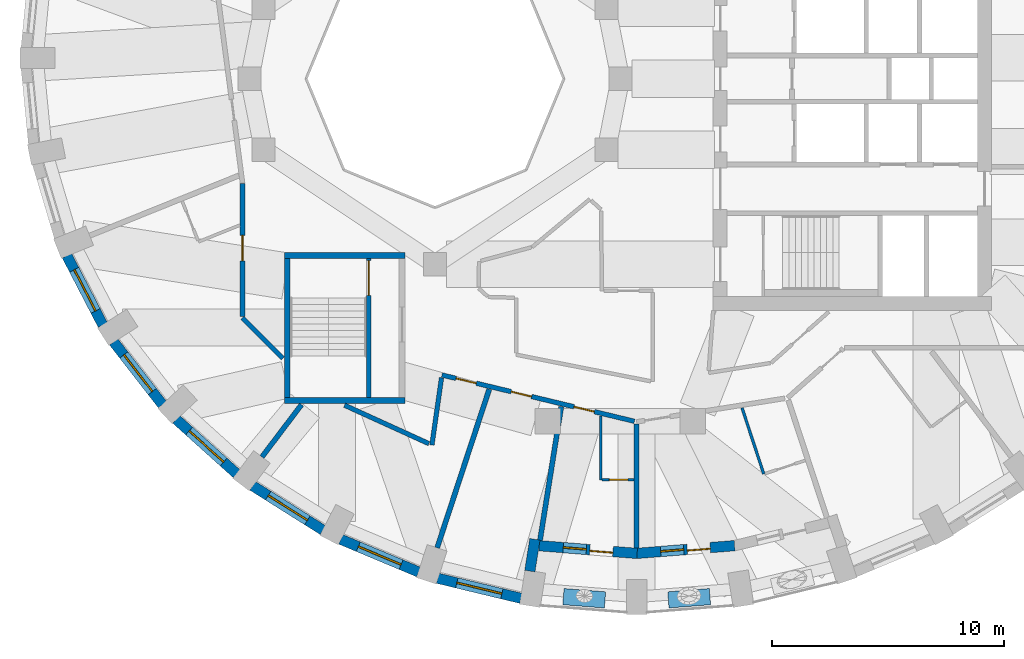
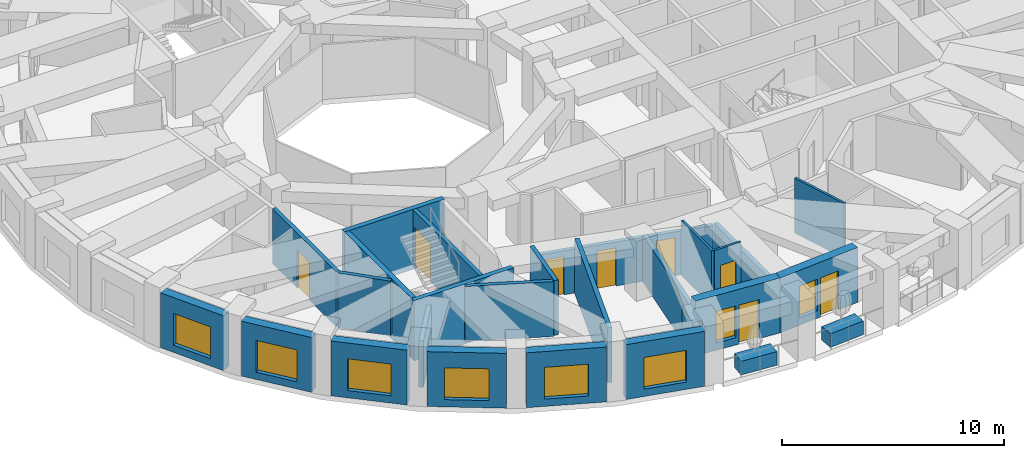
# One storey, part 3 of 12: 27 walls, 8 doors, 8 windows, 16 openings.
"""IFC4 building model written with IfcOpenShell, lengths in metres."""

from ifc_helpers import new_model, si_unit, direction, frame, frame_2d, origin, place, context, subcontext, project, spatial, rectangle, extrude, material, layer, layer_set, constituent, constituent_set, type_object, element, fill, save


model = new_model("IFC4")

# Units and contexts
model_context = context("Model", 3, precision=1e-05, world=origin(), true_north=direction((0.0, 1.0)))
body_context = subcontext(model_context, "Body", "Model", "MODEL_VIEW")
ifc_project = project(units=[si_unit("LENGTHUNIT", "METRE"), si_unit("AREAUNIT", "SQUARE_METRE"), si_unit("VOLUMEUNIT", "CUBIC_METRE"), si_unit("PLANEANGLEUNIT", "RADIAN"), si_unit("MASSUNIT", "GRAM", prefix="KILO")], contexts=[model_context])

# Site, building, storey
site_placement = place(None, origin())
site = spatial("IfcSite", under=ifc_project, at=site_placement, CompositionType="ELEMENT")
building_placement = place(site_placement, origin())
building = spatial("IfcBuilding", under=site, at=building_placement, Name="Taillehof Tower", CompositionType="ELEMENT")
storey_placement = place(building_placement, frame((0.0, 0.0, 205.699951171875)))
storey = spatial("IfcBuildingStorey", under=building, at=storey_placement, Name="L58", CompositionType="ELEMENT", Elevation=205.699951171875)

# Wall, opening, window
ifc_material_1 = material(Name="Brick masonry", Category="masonry")
ifc_layer_1 = layer(ifc_material_1, 0.449951171875)
ifc_layer_set_1 = layer_set([ifc_layer_1], Name="Brick infill wall 450")
wall_type_1 = type_object("IfcWallType", Name="Brick infill wall 450", PredefinedType="SOLIDWALL", material=ifc_layer_set_1)
wall_1_placement = place(storey_placement, frame((-23.878173828125, -7.631591796875, 0.0), z_axis=(0.0, 0.0, 1.0), x_axis=(0.460232593174, -0.887798378113, 0.0)))
wall_1 = element("IfcWall", 1, at=wall_1_placement, inside=storey, type_object=wall_type_1, Name="Brick wall L58 bay 21", PredefinedType="SOLIDWALL", context=body_context, shape_type="SweptSolid", body=[
    extrude(rectangle(XDim=3.37060546875, YDim=0.449951171875, at=frame_2d((1.685302734375, 0.0))), origin(), (0.0, 0.0, 1.0), 3.02001953125),
])
opening_1_placement = place(wall_1_placement, frame((0.685302734375, 0.0, 0.39990234375)))
opening_1 = element("IfcOpeningElement", 2, at=opening_1_placement, cuts=wall_1, Name="Opening W2", PredefinedType="OPENING", context=body_context, shape_type="SweptSolid", body=[
    extrude(rectangle(XDim=2.0, YDim=1.75, at=frame_2d((1.0, 0.875))), frame((0.0, 0.23486328125, 0.0), z_axis=(0.0, -1.0, 0.0), x_axis=(1.0, 0.0, 0.0)), (0.0, 0.0, 1.0), 0.469970703125),
])
ifc_material_2 = material(Name="Aluminium window frame with clear double glazing", Category="aluminium")
window_type_1 = type_object("IfcWindowType", Name="Deep-set window 2000x1750", PartitioningType="SINGLE_PANEL", PredefinedType="WINDOW", material=ifc_material_2)
window_1_placement = place(opening_1_placement, origin())
window_1 = element("IfcWindow", 3, at=window_1_placement, inside=storey, type_object=window_type_1, Name="W2", OverallHeight=1.75, OverallWidth=2.0, PartitioningType="SINGLE_PANEL", PredefinedType="WINDOW", context=body_context, shape_type="SweptSolid", body=[
    extrude(rectangle(XDim=2.0, YDim=1.75, at=frame_2d((1.0, 0.875))), frame((0.0, 0.034912109375, 0.0), z_axis=(0.0, -1.0, 0.0), x_axis=(1.0, 0.0, 0.0)), (0.0, 0.0, 1.0), 0.06005859375),
])
fill(opening_1, window_1)

wall_2_placement = place(storey_placement, frame((-21.86279296875, -11.348388671875, 0.0), z_axis=(0.0, 0.0, 1.0), x_axis=(0.614255239631, -0.789107407509, 0.0)))
wall_2 = element("IfcWall", 4, at=wall_2_placement, inside=storey, type_object=wall_type_1, Name="Brick wall L58 bay 22", PredefinedType="SOLIDWALL", context=body_context, shape_type="SweptSolid", body=[
    extrude(rectangle(XDim=3.4375, YDim=0.449951171875, at=frame_2d((1.71875, 0.0))), origin(), (0.0, 0.0, 1.0), 3.02001953125),
])
opening_2_placement = place(wall_2_placement, frame((0.71875, 0.0, 0.39990234375)))
opening_2 = element("IfcOpeningElement", 5, at=opening_2_placement, cuts=wall_2, Name="Opening W2", PredefinedType="OPENING", context=body_context, shape_type="SweptSolid", body=[
    extrude(rectangle(XDim=2.0, YDim=1.75, at=frame_2d((1.0, 0.875))), frame((0.0, 0.23486328125, 0.0), z_axis=(0.0, -1.0, 0.0), x_axis=(1.0, 0.0, 0.0)), (0.0, 0.0, 1.0), 0.469970703125),
])
window_2_placement = place(opening_2_placement, origin())
window_2 = element("IfcWindow", 6, at=window_2_placement, inside=storey, type_object=window_type_1, Name="W2", OverallHeight=1.75, OverallWidth=2.0, PartitioningType="SINGLE_PANEL", PredefinedType="WINDOW", context=body_context, shape_type="SweptSolid", body=[
    extrude(rectangle(XDim=2.0, YDim=1.75, at=frame_2d((1.0, 0.875))), frame((0.0, 0.034912109375, 0.0), z_axis=(0.0, -1.0, 0.0), x_axis=(1.0, 0.0, 0.0)), (0.0, 0.0, 1.0), 0.06005859375),
])
fill(opening_2, window_2)

wall_3_placement = place(storey_placement, frame((-19.1650390625, -14.6904296875, 0.0), z_axis=(0.0, 0.0, 1.0), x_axis=(0.743442727602, -0.668799604348, 0.0)))
wall_3 = element("IfcWall", 7, at=wall_3_placement, inside=storey, type_object=wall_type_1, Name="Brick wall L58 bay 23", PredefinedType="SOLIDWALL", context=body_context, shape_type="SweptSolid", body=[
    extrude(rectangle(XDim=3.5126953125, YDim=0.449951171875, at=frame_2d((1.75634765625, 0.0))), origin(), (0.0, 0.0, 1.0), 3.02001953125),
])
opening_3_placement = place(wall_3_placement, frame((0.75634765625, 0.0, 0.39990234375)))
opening_3 = element("IfcOpeningElement", 8, at=opening_3_placement, cuts=wall_3, Name="Opening W2", PredefinedType="OPENING", context=body_context, shape_type="SweptSolid", body=[
    extrude(rectangle(XDim=2.0, YDim=1.75, at=frame_2d((1.0, 0.875))), frame((0.0, 0.23486328125, 0.0), z_axis=(0.0, -1.0, 0.0), x_axis=(1.0, 0.0, 0.0)), (0.0, 0.0, 1.0), 0.469970703125),
])
window_3_placement = place(opening_3_placement, origin())
window_3 = element("IfcWindow", 9, at=window_3_placement, inside=storey, type_object=window_type_1, Name="W2", OverallHeight=1.75, OverallWidth=2.0, PartitioningType="SINGLE_PANEL", PredefinedType="WINDOW", context=body_context, shape_type="SweptSolid", body=[
    extrude(rectangle(XDim=2.0, YDim=1.75, at=frame_2d((1.0, 0.875))), frame((0.0, 0.034912109375, 0.0), z_axis=(0.0, -1.0, 0.0), x_axis=(1.0, 0.0, 0.0)), (0.0, 0.0, 1.0), 0.06005859375),
])
fill(opening_3, window_3)

wall_4_placement = place(storey_placement, frame((-15.8671875, -17.55859375, 0.0), z_axis=(0.0, 0.0, 1.0), x_axis=(0.84616917791, -0.532914366813, 0.0)))
wall_4 = element("IfcWall", 10, at=wall_4_placement, inside=storey, type_object=wall_type_1, Name="Brick wall L58 bay 24", PredefinedType="SOLIDWALL", context=body_context, shape_type="SweptSolid", body=[
    extrude(rectangle(XDim=3.586669921875, YDim=0.449951171875, at=frame_2d((1.79345703125, 0.0))), origin(), (0.0, 0.0, 1.0), 3.02001953125),
])
opening_4_placement = place(wall_4_placement, frame((0.79345703125, 0.0, 0.39990234375)))
opening_4 = element("IfcOpeningElement", 11, at=opening_4_placement, cuts=wall_4, Name="Opening W2", PredefinedType="OPENING", context=body_context, shape_type="SweptSolid", body=[
    extrude(rectangle(XDim=2.0, YDim=1.75, at=frame_2d((1.0, 0.875))), frame((0.0, 0.23486328125, 0.0), z_axis=(0.0, -1.0, 0.0), x_axis=(1.0, 0.0, 0.0)), (0.0, 0.0, 1.0), 0.469970703125),
])
window_4_placement = place(opening_4_placement, origin())
window_4 = element("IfcWindow", 12, at=window_4_placement, inside=storey, type_object=window_type_1, Name="W2", OverallHeight=1.75, OverallWidth=2.0, PartitioningType="SINGLE_PANEL", PredefinedType="WINDOW", context=body_context, shape_type="SweptSolid", body=[
    extrude(rectangle(XDim=2.0, YDim=1.75, at=frame_2d((1.0, 0.875))), frame((0.0, 0.034912109375, 0.0), z_axis=(0.0, -1.0, 0.0), x_axis=(1.0, 0.0, 0.0)), (0.0, 0.0, 1.0), 0.06005859375),
])
fill(opening_4, window_4)

wall_5_placement = place(storey_placement, frame((-12.0693359375, -19.866943359375, 0.0), z_axis=(0.0, 0.0, 1.0), x_axis=(0.922168222612, -0.386789050006, 0.0)))
wall_5 = element("IfcWall", 13, at=wall_5_placement, inside=storey, type_object=wall_type_1, Name="Brick wall L58 bay 25", PredefinedType="SOLIDWALL", context=body_context, shape_type="SweptSolid", body=[
    extrude(rectangle(XDim=3.65087890625, YDim=0.449951171875, at=frame_2d((1.825439453125, 0.0))), origin(), (0.0, 0.0, 1.0), 3.02001953125),
])
opening_5_placement = place(wall_5_placement, frame((0.825439453125, 0.0, 0.39990234375)))
opening_5 = element("IfcOpeningElement", 14, at=opening_5_placement, cuts=wall_5, Name="Opening W2", PredefinedType="OPENING", context=body_context, shape_type="SweptSolid", body=[
    extrude(rectangle(XDim=2.0, YDim=1.75, at=frame_2d((1.0, 0.875))), frame((0.0, 0.23486328125, 0.0), z_axis=(0.0, -1.0, 0.0), x_axis=(1.0, 0.0, 0.0)), (0.0, 0.0, 1.0), 0.469970703125),
])
window_5_placement = place(opening_5_placement, origin())
window_5 = element("IfcWindow", 15, at=window_5_placement, inside=storey, type_object=window_type_1, Name="W2", OverallHeight=1.75, OverallWidth=2.0, PartitioningType="SINGLE_PANEL", PredefinedType="WINDOW", context=body_context, shape_type="SweptSolid", body=[
    extrude(rectangle(XDim=2.0, YDim=1.75, at=frame_2d((1.0, 0.875))), frame((0.0, 0.034912109375, 0.0), z_axis=(0.0, -1.0, 0.0), x_axis=(1.0, 0.0, 0.0)), (0.0, 0.0, 1.0), 0.06005859375),
])
fill(opening_5, window_5)

wall_6_placement = place(storey_placement, frame((-7.88525390625, -21.547119140625, 0.0), z_axis=(0.0, 0.0, 1.0), x_axis=(0.9721584944, -0.234324266275, 0.0)))
wall_6 = element("IfcWall", 16, at=wall_6_placement, inside=storey, type_object=wall_type_1, Name="Brick wall L58 bay 26", PredefinedType="SOLIDWALL", context=body_context, shape_type="SweptSolid", body=[
    extrude(rectangle(XDim=3.69775390625, YDim=0.449951171875, at=frame_2d((1.848876953125, 0.0))), origin(), (0.0, 0.0, 1.0), 3.02001953125),
])
opening_6_placement = place(wall_6_placement, frame((0.848876953125, 0.0, 0.39990234375)))
opening_6 = element("IfcOpeningElement", 17, at=opening_6_placement, cuts=wall_6, Name="Opening W2", PredefinedType="OPENING", context=body_context, shape_type="SweptSolid", body=[
    extrude(rectangle(XDim=2.0, YDim=1.75, at=frame_2d((1.0, 0.875))), frame((0.0, 0.23486328125, 0.0), z_axis=(0.0, -1.0, 0.0), x_axis=(1.0, 0.0, 0.0)), (0.0, 0.0, 1.0), 0.469970703125),
])
window_6_placement = place(opening_6_placement, origin())
window_6 = element("IfcWindow", 18, at=window_6_placement, inside=storey, type_object=window_type_1, Name="W2", OverallHeight=1.75, OverallWidth=2.0, PartitioningType="SINGLE_PANEL", PredefinedType="WINDOW", context=body_context, shape_type="SweptSolid", body=[
    extrude(rectangle(XDim=2.0, YDim=1.75, at=frame_2d((1.0, 0.875))), frame((0.0, 0.034912109375, 0.0), z_axis=(0.0, -1.0, 0.0), x_axis=(1.0, 0.0, 0.0)), (0.0, 0.0, 1.0), 0.06005859375),
])
fill(opening_6, window_6)

# Wall
wall_7_placement = place(storey_placement, frame((-3.90869140625, -21.238525390625, 0.0), z_axis=(0.0, 0.0, 1.0), x_axis=(0.157017718735, 0.987595785736, 0.0)))
element("IfcWall", 19, at=wall_7_placement, inside=storey, type_object=wall_type_1, Name="Brick reveal L58 pocket 8", PredefinedType="SOLIDWALL", context=body_context, shape_type="SweptSolid", body=[
    extrude(rectangle(XDim=1.39013671875, YDim=0.449951171875, at=frame_2d((0.695068359375, 0.0))), origin(), (0.0, 0.0, 1.0), 2.570068359375),
])

# Wall, openings, door, window
wall_8_placement = place(storey_placement, frame((-3.506591796875, -20.142333984375, 0.0), z_axis=(0.0, 0.0, 1.0), x_axis=(0.996902786213, -0.078643720926, 0.0)))
wall_8 = element("IfcWall", 20, at=wall_8_placement, inside=storey, type_object=wall_type_1, Name="Brick wall L58 pocket bay 27", PredefinedType="SOLIDWALL", context=body_context, shape_type="SweptSolid", body=[
    extrude(rectangle(XDim=4.237548828125, YDim=0.449951171875, at=frame_2d((2.11865234375, 0.0))), origin(), (0.0, 0.0, 1.0), 3.02001953125),
])
opening_7_placement = place(wall_8_placement, frame((1.043701171875, 0.0, 0.39990234375)))
opening_7 = element("IfcOpeningElement", 21, at=opening_7_placement, cuts=wall_8, Name="Opening W5", PredefinedType="OPENING", context=body_context, shape_type="SweptSolid", body=[
    extrude(rectangle(XDim=1.0, YDim=1.75, at=frame_2d((0.5, 0.875))), frame((0.0, 0.23486328125, 0.0), z_axis=(0.0, -1.0, 0.0), x_axis=(1.0, 0.0, 0.0)), (0.0, 0.0, 1.0), 0.469970703125),
])
opening_8_placement = place(wall_8_placement, frame((2.193603515625, 0.0, 0.0)))
opening_8 = element("IfcOpeningElement", 22, at=opening_8_placement, cuts=wall_8, Name="Opening D5894", PredefinedType="OPENING", context=body_context, shape_type="SweptSolid", body=[
    extrude(rectangle(XDim=1.0, YDim=2.14990234375, at=frame_2d((0.5, 1.074951171875))), frame((0.0, 0.23486328125, 0.0), z_axis=(0.0, -1.0, 0.0), x_axis=(1.0, 0.0, 0.0)), (0.0, 0.0, 1.0), 0.469970703125),
])
ifc_material_3 = material(Name="Aluminium door frame with clear double glazing", Category="aluminium")
door_type_1 = type_object("IfcDoorType", Name="Balcony door 1000x2150", OperationType="SINGLE_SWING_RIGHT", PredefinedType="DOOR", material=ifc_material_3)
door_1_placement = place(opening_8_placement, frame((1.0, 0.0, 0.0), z_axis=(0.0, 0.0, 1.0), x_axis=(-1.0, 0.0, 0.0)))
door_1 = element("IfcDoor", 23, at=door_1_placement, inside=storey, type_object=door_type_1, Name="Balcony door L58 bay 27", OperationType="SINGLE_SWING_RIGHT", OverallHeight=2.14990234375, OverallWidth=1.0, PredefinedType="DOOR", context=body_context, shape_type="SweptSolid", body=[
    extrude(rectangle(XDim=1.0, YDim=2.14990234375, at=frame_2d((0.5, 1.074951171875))), frame((0.0, 0.0751953125, 0.0), z_axis=(0.0, -1.0, 0.0), x_axis=(1.0, 0.0, 0.0)), (0.0, 0.0, 1.0), 0.050048828125),
])
fill(opening_8, door_1)
ifc_material_4 = material(Name="Aluminium window frame with clear double glazing", Category="aluminium")
window_type_2 = type_object("IfcWindowType", Name="Fixed window 1000x1750", PartitioningType="SINGLE_PANEL", PredefinedType="WINDOW", material=ifc_material_4)
window_7_placement = place(opening_7_placement, origin())
window_7 = element("IfcWindow", 24, at=window_7_placement, inside=storey, type_object=window_type_2, Name="W5", OverallHeight=1.75, OverallWidth=1.0, PartitioningType="SINGLE_PANEL", PredefinedType="WINDOW", context=body_context, shape_type="SweptSolid", body=[
    extrude(rectangle(XDim=1.0, YDim=1.75, at=frame_2d((0.5, 0.875))), frame((0.0, 0.034912109375, 0.0), z_axis=(0.0, -1.0, 0.0), x_axis=(1.0, 0.0, 0.0)), (0.0, 0.0, 1.0), 0.06005859375),
])
fill(opening_7, window_7)

wall_9_placement = place(storey_placement, frame((0.682373046875, -20.4755859375, 0.0), z_axis=(0.0, 0.0, 1.0), x_axis=(0.996901346333, 0.078661970983, 0.0)))
wall_9 = element("IfcWall", 25, at=wall_9_placement, inside=storey, type_object=wall_type_1, Name="Brick wall L58 pocket bay 28", PredefinedType="SOLIDWALL", context=body_context, shape_type="SweptSolid", body=[
    extrude(rectangle(XDim=4.255126953125, YDim=0.449951171875, at=frame_2d((2.12744140625, 0.0))), origin(), (0.0, 0.0, 1.0), 3.02001953125),
])
opening_9_placement = place(wall_9_placement, frame((1.052490234375, 0.0, 0.39990234375)))
opening_9 = element("IfcOpeningElement", 26, at=opening_9_placement, cuts=wall_9, Name="Opening W5", PredefinedType="OPENING", context=body_context, shape_type="SweptSolid", body=[
    extrude(rectangle(XDim=1.0, YDim=1.75, at=frame_2d((0.5, 0.875))), frame((0.0, 0.23486328125, 0.0), z_axis=(0.0, -1.0, 0.0), x_axis=(1.0, 0.0, 0.0)), (0.0, 0.0, 1.0), 0.469970703125),
])
opening_10_placement = place(wall_9_placement, frame((2.20263671875, 0.0, 0.0)))
opening_10 = element("IfcOpeningElement", 27, at=opening_10_placement, cuts=wall_9, Name="Opening D5895", PredefinedType="OPENING", context=body_context, shape_type="SweptSolid", body=[
    extrude(rectangle(XDim=1.0, YDim=2.14990234375, at=frame_2d((0.5, 1.074951171875))), frame((0.0, 0.23486328125, 0.0), z_axis=(0.0, -1.0, 0.0), x_axis=(1.0, 0.0, 0.0)), (0.0, 0.0, 1.0), 0.469970703125),
])
door_2_placement = place(opening_10_placement, frame((1.0, 0.0, 0.0), z_axis=(0.0, 0.0, 1.0), x_axis=(-1.0, 0.0, 0.0)))
door_2 = element("IfcDoor", 28, at=door_2_placement, inside=storey, type_object=door_type_1, Name="Balcony door L58 bay 28", OperationType="SINGLE_SWING_LEFT", OverallHeight=2.14990234375, OverallWidth=1.0, PredefinedType="DOOR", context=body_context, shape_type="SweptSolid", body=[
    extrude(rectangle(XDim=1.0, YDim=2.14990234375, at=frame_2d((0.5, 1.074951171875))), frame((0.0, 0.0751953125, 0.0), z_axis=(0.0, -1.0, 0.0), x_axis=(1.0, 0.0, 0.0)), (0.0, 0.0, 1.0), 0.050048828125),
])
fill(opening_10, door_2)
window_8_placement = place(opening_9_placement, origin())
window_8 = element("IfcWindow", 29, at=window_8_placement, inside=storey, type_object=window_type_2, Name="W5", OverallHeight=1.75, OverallWidth=1.0, PartitioningType="SINGLE_PANEL", PredefinedType="WINDOW", context=body_context, shape_type="SweptSolid", body=[
    extrude(rectangle(XDim=1.0, YDim=1.75, at=frame_2d((0.5, 0.875))), frame((0.0, 0.034912109375, 0.0), z_axis=(0.0, -1.0, 0.0), x_axis=(1.0, 0.0, 0.0)), (0.0, 0.0, 1.0), 0.06005859375),
])
fill(opening_9, window_8)

# Wall, openings, doors
ifc_material_5 = material(Name="Gypsum board on steel studs, two layers each side", Category="steel")
ifc_layer_2 = layer(ifc_material_5, 0.199951171875)
ifc_layer_set_2 = layer_set([ifc_layer_2], Name="Compartment wall corridor 200")
wall_type_2 = type_object("IfcWallType", Name="Compartment wall corridor 200", PredefinedType="PARTITIONING", material=ifc_layer_set_2)
wall_10_placement = place(storey_placement, frame((0.602294921875, -14.77685546875, 0.0), z_axis=(0.0, 0.0, 1.0), x_axis=(-0.972266752798, 0.23387467029, 0.0)))
wall_10 = element("IfcWall", 30, at=wall_10_placement, inside=storey, type_object=wall_type_2, Name="Compartment wall", PredefinedType="PARTITIONING", context=body_context, shape_type="SweptSolid", body=[
    extrude(rectangle(XDim=8.5390625, YDim=0.199951171875, at=frame_2d((4.26953125, 0.0))), origin(), (0.0, 0.0, 1.0), 2.420166015625),
])
opening_11_placement = place(wall_10_placement, frame((7.015869140625, 0.0, 0.0)))
opening_11 = element("IfcOpeningElement", 31, at=opening_11_placement, cuts=wall_10, Name="Opening D5855", PredefinedType="OPENING", context=body_context, shape_type="SweptSolid", body=[
    extrude(rectangle(XDim=0.89990234375, YDim=2.10009765625, at=frame_2d((0.449951171875, 1.050048828125))), frame((0.0, 0.10986328125, 0.0), z_axis=(0.0, -1.0, 0.0), x_axis=(1.0, 0.0, 0.0)), (0.0, 0.0, 1.0), 0.219970703125),
])
opening_12_placement = place(wall_10_placement, frame((4.5654296875, 0.0, 0.0)))
opening_12 = element("IfcOpeningElement", 32, at=opening_12_placement, cuts=wall_10, Name="Opening D5856", PredefinedType="OPENING", context=body_context, shape_type="SweptSolid", body=[
    extrude(rectangle(XDim=0.89990234375, YDim=2.10009765625, at=frame_2d((0.449951171875, 1.050048828125))), frame((0.0, 0.10986328125, 0.0), z_axis=(0.0, -1.0, 0.0), x_axis=(1.0, 0.0, 0.0)), (0.0, 0.0, 1.0), 0.219970703125),
])
opening_13_placement = place(wall_10_placement, frame((1.779541015625, 0.0, 0.0)))
opening_13 = element("IfcOpeningElement", 33, at=opening_13_placement, cuts=wall_10, Name="Opening D5857", PredefinedType="OPENING", context=body_context, shape_type="SweptSolid", body=[
    extrude(rectangle(XDim=0.89990234375, YDim=2.10009765625, at=frame_2d((0.449951171875, 1.050048828125))), frame((0.0, 0.10986328125, 0.0), z_axis=(0.0, -1.0, 0.0), x_axis=(1.0, 0.0, 0.0)), (0.0, 0.0, 1.0), 0.219970703125),
])
ifc_material_6 = material(Name="Timber door leaf in steel frame", Category="steel")
door_type_2 = type_object("IfcDoorType", Name="Guest room door EI 30 900 x 2100", OperationType="SINGLE_SWING_LEFT", PredefinedType="DOOR", material=ifc_material_6)
door_3_placement = place(opening_13_placement, origin())
door_3 = element("IfcDoor", 34, at=door_3_placement, inside=storey, type_object=door_type_2, Name="D5857", OperationType="SINGLE_SWING_LEFT", OverallHeight=2.10009765625, OverallWidth=0.89990234375, PredefinedType="DOOR", context=body_context, shape_type="SweptSolid", body=[
    extrude(rectangle(XDim=0.89990234375, YDim=2.10009765625, at=frame_2d((0.449951171875, 1.050048828125))), frame((0.0, 0.02490234375, 0.0), z_axis=(0.0, -1.0, 0.0), x_axis=(1.0, 0.0, 0.0)), (0.0, 0.0, 1.0), 0.050048828125),
])
fill(opening_13, door_3)
ifc_material_7 = material(Name="Timber door leaf in steel frame", Category="steel")
door_type_3 = type_object("IfcDoorType", Name="Service room door EI 30 900 x 2100", OperationType="SINGLE_SWING_LEFT", PredefinedType="DOOR", material=ifc_material_7)
door_4_placement = place(opening_11_placement, origin())
door_4 = element("IfcDoor", 35, at=door_4_placement, inside=storey, type_object=door_type_3, Name="D5855", OperationType="SINGLE_SWING_RIGHT", OverallHeight=2.10009765625, OverallWidth=0.89990234375, PredefinedType="DOOR", context=body_context, shape_type="SweptSolid", body=[
    extrude(rectangle(XDim=0.89990234375, YDim=2.10009765625, at=frame_2d((0.449951171875, 1.050048828125))), frame((0.0, 0.02490234375, 0.0), z_axis=(0.0, -1.0, 0.0), x_axis=(1.0, 0.0, 0.0)), (0.0, 0.0, 1.0), 0.050048828125),
])
fill(opening_11, door_4)
door_5_placement = place(opening_12_placement, origin())
door_5 = element("IfcDoor", 36, at=door_5_placement, inside=storey, type_object=door_type_3, Name="D5856", OperationType="SINGLE_SWING_RIGHT", OverallHeight=2.10009765625, OverallWidth=0.89990234375, PredefinedType="DOOR", context=body_context, shape_type="SweptSolid", body=[
    extrude(rectangle(XDim=0.89990234375, YDim=2.10009765625, at=frame_2d((0.449951171875, 1.050048828125))), frame((0.0, 0.02490234375, 0.0), z_axis=(0.0, -1.0, 0.0), x_axis=(1.0, 0.0, 0.0)), (0.0, 0.0, 1.0), 0.050048828125),
])
fill(opening_12, door_5)

# Walls
wall_11_placement = place(storey_placement, frame((-7.717529296875, -12.8984375, 0.0), z_axis=(0.0, 0.0, 1.0), x_axis=(-0.141269756138, -0.989971138974, 0.0)))
element("IfcWall", 37, at=wall_11_placement, inside=storey, type_object=wall_type_2, Name="Compartment wall", PredefinedType="PARTITIONING", context=body_context, shape_type="SweptSolid", body=[
    extrude(rectangle(XDim=2.930908203125, YDim=0.199951171875, at=frame_2d((1.46533203125, 0.0))), origin(), (0.0, 0.0, 1.0), 3.02001953125),
])
wall_12_placement = place(storey_placement, frame((-8.259765625, -15.741943359375, 0.0), z_axis=(0.0, 0.0, 1.0), x_axis=(-0.910075871217, 0.414441683025, 0.0)))
element("IfcWall", 38, at=wall_12_placement, inside=storey, type_object=wall_type_2, Name="Compartment wall", PredefinedType="PARTITIONING", context=body_context, shape_type="SweptSolid", body=[
    extrude(rectangle(XDim=4.002197265625, YDim=0.199951171875, at=frame_2d((2.0009765625, 0.0))), origin(), (0.0, 0.0, 1.0), 3.02001953125),
])
wall_13_placement = place(storey_placement, frame((-14.561767578125, -12.064453125, 0.0), z_axis=(0.0, 0.0, 1.0), x_axis=(-0.704826289083, 0.709379942074, 0.0)))
element("IfcWall", 39, at=wall_13_placement, inside=storey, type_object=wall_type_2, Name="Compartment wall", PredefinedType="PARTITIONING", context=body_context, shape_type="SweptSolid", body=[
    extrude(rectangle(XDim=2.46630859375, YDim=0.199951171875, at=frame_2d((1.233154296875, 0.0))), origin(), (0.0, 0.0, 1.0), 3.02001953125),
])

# Wall, opening, door
wall_14_placement = place(storey_placement, frame((-16.300048828125, -10.2548828125, 0.0), z_axis=(0.0, 0.0, 1.0), x_axis=(0.0, 1.0, 0.0)))
wall_14 = element("IfcWall", 40, at=wall_14_placement, inside=storey, type_object=wall_type_2, Name="Compartment wall", PredefinedType="PARTITIONING", context=body_context, shape_type="SweptSolid", body=[
    extrude(rectangle(XDim=5.734375, YDim=0.199951171875, at=frame_2d((2.8671875, 0.0))), origin(), (0.0, 0.0, 1.0), 3.02001953125),
])
opening_14_placement = place(wall_14_placement, frame((2.401123046875, 0.0, 0.0)))
opening_14 = element("IfcOpeningElement", 41, at=opening_14_placement, cuts=wall_14, Name="Opening D5853", PredefinedType="OPENING", context=body_context, shape_type="SweptSolid", body=[
    extrude(rectangle(XDim=1.10009765625, YDim=2.10009765625, at=frame_2d((0.550048828125, 1.050048828125))), frame((0.0, 0.10986328125, 0.0), z_axis=(0.0, -1.0, 0.0), x_axis=(1.0, 0.0, 0.0)), (0.0, 0.0, 1.0), 0.219970703125),
])
ifc_material_8 = material(Name="Timber door leaf in steel frame", Category="steel")
door_type_4 = type_object("IfcDoorType", Name="Suite entrance door EI 30 1100 x 2100", OperationType="SINGLE_SWING_LEFT", PredefinedType="DOOR", material=ifc_material_8)
door_6_placement = place(opening_14_placement, origin())
door_6 = element("IfcDoor", 42, at=door_6_placement, inside=storey, type_object=door_type_4, Name="D5853", OperationType="SINGLE_SWING_RIGHT", OverallHeight=2.10009765625, OverallWidth=1.10009765625, PredefinedType="DOOR", context=body_context, shape_type="SweptSolid", body=[
    extrude(rectangle(XDim=1.10009765625, YDim=2.10009765625, at=frame_2d((0.550048828125, 1.050048828125))), frame((0.0, 0.02490234375, 0.0), z_axis=(0.0, -1.0, 0.0), x_axis=(1.0, 0.0, 0.0)), (0.0, 0.0, 1.0), 0.050048828125),
])
fill(opening_14, door_6)

# Walls
ifc_material_9 = material(Name="Gypsum board on double steel studs with mineral wool", Category="steel")
ifc_layer_3 = layer(ifc_material_9, 0.219970703125)
ifc_layer_set_3 = layer_set([ifc_layer_3], Name="Compartment wall guest room 220")
wall_type_3 = type_object("IfcWallType", Name="Compartment wall guest room 220", PredefinedType="PARTITIONING", material=ifc_layer_set_3)
wall_15_placement = place(storey_placement, frame((-15.46337890625, -16.3125, 0.0), z_axis=(0.0, 0.0, 1.0), x_axis=(0.603613294085, 0.797277236101, 0.0)))
element("IfcWall", 43, at=wall_15_placement, inside=storey, type_object=wall_type_3, Name="Compartment wall", PredefinedType="PARTITIONING", context=body_context, shape_type="SweptSolid", body=[
    extrude(rectangle(XDim=2.82763671875, YDim=0.219970703125, at=frame_2d((1.413818359375, 0.0))), origin(), (0.0, 0.0, 1.0), 2.570068359375),
])
wall_16_placement = place(storey_placement, frame((-7.9072265625, -20.2353515625, 0.0), z_axis=(0.0, 0.0, 1.0), x_axis=(0.312013837279, 0.950077557543, 0.0)))
element("IfcWall", 44, at=wall_16_placement, inside=storey, type_object=wall_type_3, Name="Compartment wall", PredefinedType="PARTITIONING", context=body_context, shape_type="SweptSolid", body=[
    extrude(rectangle(XDim=7.200927734375, YDim=0.219970703125, at=frame_2d((3.6005859375, 0.0))), origin(), (0.0, 0.0, 1.0), 3.02001953125),
])
wall_17_placement = place(storey_placement, frame((-3.470947265625, -19.91943359375, 0.0), z_axis=(0.0, 0.0, 1.0), x_axis=(0.157066025452, 0.987588104246, 0.0)))
element("IfcWall", 45, at=wall_17_placement, inside=storey, type_object=wall_type_3, Name="Compartment wall", PredefinedType="PARTITIONING", context=body_context, shape_type="SweptSolid", body=[
    extrude(rectangle(XDim=5.8505859375, YDim=0.219970703125, at=frame_2d((2.92529296875, 0.0))), origin(), (0.0, 0.0, 1.0), 2.570068359375),
])
wall_18_placement = place(storey_placement, frame((0.699951171875, -20.24853515625, 0.0), z_axis=(0.0, 0.0, 1.0), x_axis=(0.0, 1.0, 0.0)))
element("IfcWall", 46, at=wall_18_placement, inside=storey, type_object=wall_type_3, Name="Compartment wall", PredefinedType="PARTITIONING", context=body_context, shape_type="SweptSolid", body=[
    extrude(rectangle(XDim=5.348388671875, YDim=0.219970703125, at=frame_2d((2.67431640625, 0.0))), origin(), (0.0, 0.0, 1.0), 2.570068359375),
])
ifc_material_10 = material(Name="Gypsum board on steel studs, moisture resistant", Category="steel")
ifc_layer_4 = layer(ifc_material_10, 0.1201171875)
ifc_layer_set_4 = layer_set([ifc_layer_4], Name="En-suite wall 120")
wall_type_4 = type_object("IfcWallType", Name="En-suite wall 120", PredefinedType="PARTITIONING", material=ifc_layer_set_4)
wall_19_placement = place(storey_placement, frame((-0.85009765625, -14.550048828125, 0.0), z_axis=(0.0, 0.0, 1.0), x_axis=(0.0, -1.0, 0.0)))
element("IfcWall", 47, at=wall_19_placement, inside=storey, type_object=wall_type_4, Name="En-suite wall", PredefinedType="PARTITIONING", context=body_context, shape_type="SweptSolid", body=[
    extrude(rectangle(XDim=2.75, YDim=0.1201171875, at=frame_2d((1.375, 0.0))), origin(), (0.0, 0.0, 1.0), 3.02001953125),
])
wall_20_placement = place(storey_placement, frame((5.2451171875, -14.19970703125, 0.0), z_axis=(0.0, 0.0, 1.0), x_axis=(0.31202743032, -0.950073093361, 0.0)))
element("IfcWall", 48, at=wall_20_placement, inside=storey, type_object=wall_type_4, Name="En-suite wall", PredefinedType="PARTITIONING", context=body_context, shape_type="SweptSolid", body=[
    extrude(rectangle(XDim=3.00146484375, YDim=0.1201171875, at=frame_2d((1.500732421875, 0.0))), origin(), (0.0, 0.0, 1.0), 3.02001953125),
])

# Wall, opening, door
wall_21_placement = place(storey_placement, frame((-0.7900390625, -17.300048828125, 0.0), z_axis=(0.0, 0.0, 1.0), x_axis=(1.0, 0.0, 0.0)))
wall_21 = element("IfcWall", 49, at=wall_21_placement, inside=storey, type_object=wall_type_4, Name="En-suite wall", PredefinedType="PARTITIONING", context=body_context, shape_type="SweptSolid", body=[
    extrude(rectangle(XDim=1.3798828125, YDim=0.1201171875, at=frame_2d((0.68994140625, 0.0))), origin(), (0.0, 0.0, 1.0), 3.02001953125),
])
opening_15_placement = place(wall_21_placement, frame((0.31494140625, 0.0, 0.0)))
opening_15 = element("IfcOpeningElement", 50, at=opening_15_placement, cuts=wall_21, Name="Opening D5858", PredefinedType="OPENING", context=body_context, shape_type="SweptSolid", body=[
    extrude(rectangle(XDim=0.800048828125, YDim=2.10009765625, at=frame_2d((0.39990234375, 1.050048828125))), frame((0.0, 0.070068359375, 0.0), z_axis=(0.0, -1.0, 0.0), x_axis=(1.0, 0.0, 0.0)), (0.0, 0.0, 1.0), 0.14013671875),
])
ifc_material_11 = material(Name="Timber door leaf in steel frame", Category="steel")
door_type_5 = type_object("IfcDoorType", Name="En-suite door 800 x 2100", OperationType="SINGLE_SWING_LEFT", PredefinedType="DOOR", material=ifc_material_11)
door_7_placement = place(opening_15_placement, origin())
door_7 = element("IfcDoor", 51, at=door_7_placement, inside=storey, type_object=door_type_5, Name="D5858", OperationType="SINGLE_SWING_LEFT", OverallHeight=2.10009765625, OverallWidth=0.800048828125, PredefinedType="DOOR", context=body_context, shape_type="SweptSolid", body=[
    extrude(rectangle(XDim=0.800048828125, YDim=2.10009765625, at=frame_2d((0.39990234375, 1.050048828125))), frame((0.0, 0.02490234375, 0.0), z_axis=(0.0, -1.0, 0.0), x_axis=(1.0, 0.0, 0.0)), (0.0, 0.0, 1.0), 0.050048828125),
])
fill(opening_15, door_7)

# Walls
ifc_material_12 = material(Name="Concrete C30/37 precast", Category="concrete")
ifc_constituent_1 = constituent(ifc_material_12, Name="Structure", Category="concrete")
ifc_material_13 = material(Name="Insulated lining")
ifc_constituent_2 = constituent(ifc_material_13, Name="Lining")
ifc_constituent_set = constituent_set(constituents=[ifc_constituent_1, ifc_constituent_2], Name="Planter trough 700x750")
wall_type_5 = type_object("IfcWallType", Name="Planter trough 700x750", PredefinedType="USERDEFINED", material=ifc_constituent_set)
for number, where, z_axis, x_axis, name in (
    (52, (-2.46044921875, -22.339599609375, 0.0), (0.0, 0.0, 1.0), (0.996911576184, -0.078532218042, 0.0), "Planter L58 bay 27"),
    (53, (2.066162109375, -22.48095703125, 0.0), (0.0, 0.0, 1.0), (0.996911576184, 0.078532218042, 0.0), "Planter L58 bay 28"),
):
    element("IfcWall", number, at=place(storey_placement, frame(where, z_axis=z_axis, x_axis=x_axis)), inside=storey, type_object=wall_type_5, Name=name, ObjectType="PLANTER", PredefinedType="USERDEFINED", context=body_context, shape_type="SweptSolid", body=[
        extrude(rectangle(XDim=1.800048828125, YDim=0.699951171875, at=frame_2d((0.89990234375, 0.0))), origin(), (0.0, 0.0, 1.0), 0.75),
    ])

# Wall, opening, door
ifc_material_14 = material(Name="Concrete C50/60", Category="concrete")
ifc_layer_5 = layer(ifc_material_14, 0.199951171875)
ifc_layer_set_5 = layer_set([ifc_layer_5], Name="Shaft wall C50/60 200")
wall_type_6 = type_object("IfcWallType", Name="Shaft wall C50/60 200", PredefinedType="SHEAR", material=ifc_layer_set_5)
wall_22_placement = place(storey_placement, frame((-10.85009765625, -13.75, 0.0), z_axis=(0.0, 0.0, 1.0), x_axis=(0.0, 1.0, 0.0)))
wall_22 = element("IfcWall", 54, at=wall_22_placement, inside=storey, type_object=wall_type_6, Name="Shaft wall SW", PredefinedType="SHEAR", context=body_context, shape_type="SweptSolid", body=[
    extrude(rectangle(XDim=6.0, YDim=0.199951171875, at=frame_2d((3.0, 0.0))), origin(), (0.0, 0.0, 1.0), 3.02001953125),
])
opening_16_placement = place(wall_22_placement, frame((4.39990234375, 0.0, 0.0)))
opening_16 = element("IfcOpeningElement", 55, at=opening_16_placement, cuts=wall_22, Name="Opening D5813", PredefinedType="OPENING", context=body_context, shape_type="SweptSolid", body=[
    extrude(rectangle(XDim=1.5, YDim=2.10009765625, at=frame_2d((0.75, 1.050048828125))), frame((0.0, 0.10986328125, 0.0), z_axis=(0.0, -1.0, 0.0), x_axis=(1.0, 0.0, 0.0)), (0.0, 0.0, 1.0), 0.219970703125),
])
ifc_material_15 = material(Name="Steel-faced fire door", Category="steel")
door_type_6 = type_object("IfcDoorType", Name="Stair door 1500x2100", OperationType="DOUBLE_DOOR_SINGLE_SWING", PredefinedType="DOOR", material=ifc_material_15)
door_8_placement = place(opening_16_placement, origin())
door_8 = element("IfcDoor", 56, at=door_8_placement, inside=storey, type_object=door_type_6, Name="Stair lobby door S4", OperationType="DOUBLE_DOOR_SINGLE_SWING", OverallHeight=2.10009765625, OverallWidth=1.5, PredefinedType="DOOR", context=body_context, shape_type="SweptSolid", body=[
    extrude(rectangle(XDim=1.5, YDim=2.10009765625, at=frame_2d((0.75, 1.050048828125))), frame((0.0, 0.02490234375, 0.0), z_axis=(0.0, -1.0, 0.0), x_axis=(1.0, 0.0, 0.0)), (0.0, 0.0, 1.0), 0.050048828125),
])
fill(opening_16, door_8)

# Walls
ifc_material_16 = material(Name="Concrete C50/60", Category="concrete")
ifc_layer_6 = layer(ifc_material_16, 0.25)
ifc_layer_set_6 = layer_set([ifc_layer_6], Name="Stair wall C50/60 250")
wall_type_7 = type_object("IfcWallType", Name="Stair wall C50/60 250", PredefinedType="SHEAR", material=ifc_layer_set_6)
wall_23_placement = place(storey_placement, frame((-14.375, -13.75, -0.280029296875), z_axis=(0.0, 0.0, 1.0), x_axis=(0.0, 1.0, 0.0)))
element("IfcWall", 57, at=wall_23_placement, inside=storey, type_object=wall_type_7, Name="Stair wall SC", PredefinedType="SHEAR", context=body_context, shape_type="SweptSolid", body=[
    extrude(rectangle(XDim=6.0, YDim=0.25, at=frame_2d((3.0, 0.0))), origin(), (0.0, 0.0, 1.0), 3.300048828125),
])
for number, where, z_axis, x_axis, name in (
    (58, (-14.5, -7.625, -0.280029296875), (0.0, 0.0, 1.0), (1.0, 0.0, 0.0), "Stair wall SC"),
    (59, (-14.5, -13.875, -0.280029296875), (0.0, 0.0, 1.0), (1.0, 0.0, 0.0), "Stair wall SC"),
):
    element("IfcWall", number, at=place(storey_placement, frame(where, z_axis=z_axis, x_axis=x_axis)), inside=storey, type_object=wall_type_7, Name=name, PredefinedType="SHEAR", context=body_context, shape_type="SweptSolid", body=[
        extrude(rectangle(XDim=5.199951171875, YDim=0.25, at=frame_2d((2.60009765625, 0.0))), origin(), (0.0, 0.0, 1.0), 3.300048828125),
    ])

save(model, "model.ifc")
